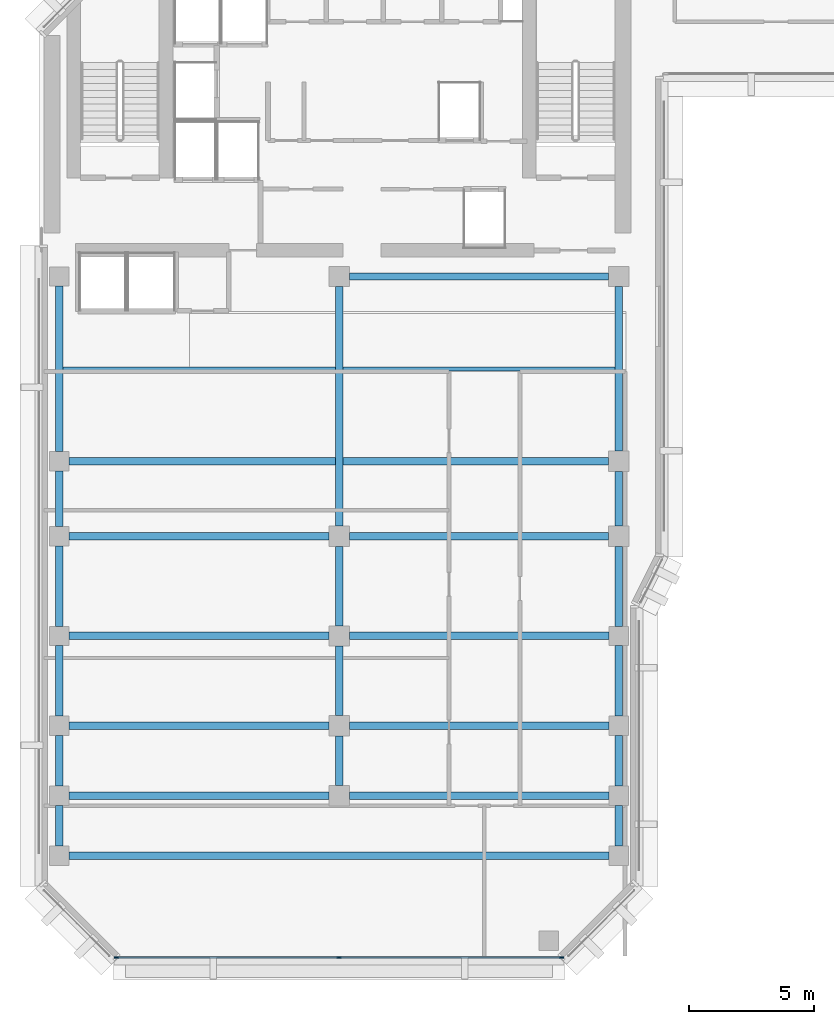
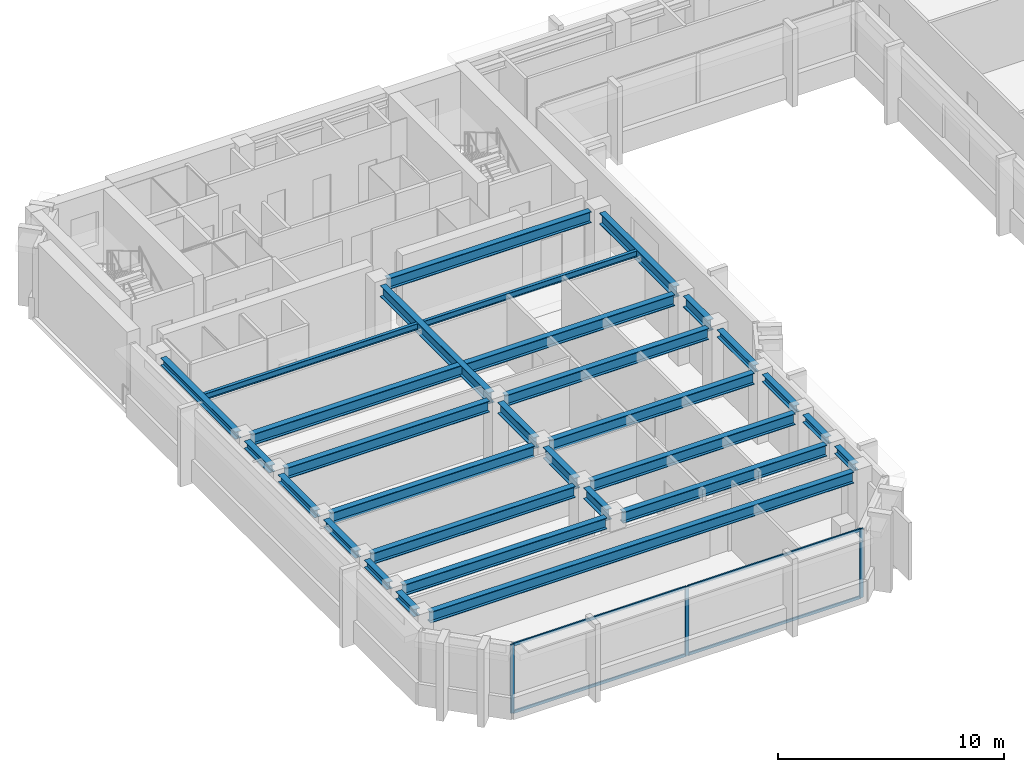
# One storey, part 2 of 11: 29 beams, 7 members, 1 element without a shape of its own.
"""IFC4 building model written with IfcOpenShell, lengths in metres."""

from ifc_helpers import new_model, si_unit, direction, frame, origin, origin_2d, place, context, subcontext, project, spatial, rectangle, i_section, extrude, material, layer, layer_set, material_profile, profile_set, type_object, element, aggregate, save


model = new_model("IFC4")

# Units and contexts
model_context = context("Model", 3, precision=1e-05, world=origin(), true_north=direction((0.0, 1.0)))
body_context = subcontext(model_context, "Body", "Model", "MODEL_VIEW")
ifc_project = project(units=[si_unit("LENGTHUNIT", "METRE"), si_unit("AREAUNIT", "SQUARE_METRE"), si_unit("VOLUMEUNIT", "CUBIC_METRE"), si_unit("PLANEANGLEUNIT", "RADIAN"), si_unit("MASSUNIT", "GRAM", prefix="KILO")], contexts=[model_context])

# Site, building, storey
site_placement = place(None, origin())
site = spatial("IfcSite", under=ifc_project, at=site_placement, CompositionType="ELEMENT")
building_placement = place(site_placement, origin())
building = spatial("IfcBuilding", under=site, at=building_placement, Name="Kefirva Bronze Tower", CompositionType="ELEMENT")
storey_placement = place(building_placement, frame((0.0, 0.0, 219.780029296875)))
storey = spatial("IfcBuildingStorey", under=building, at=storey_placement, Name="L53", CompositionType="ELEMENT", Elevation=219.780029296875)

# Curtain wall, members
ifc_material_1 = material(Name="Bronze anodised aluminium", Category="aluminium")
ifc_layer = layer(ifc_material_1, 0.179931640625, Name="Bronze anodised aluminium")
ifc_layer_set = layer_set([ifc_layer], Name="Bronze anodised aluminium")
curtain_wall_type = type_object("IfcCurtainWallType", Name="Unitised Bronze Ribbon Curtain Wall Zone 3", PredefinedType="USERDEFINED", material=ifc_layer_set)
curtain_wall_placement = place(storey_placement, origin())
curtain_wall = element("IfcCurtainWall", 1, at=curtain_wall_placement, inside=storey, type_object=curtain_wall_type, Name="L53 Curtain Wall 1", ObjectType="UNITISED CURTAIN WALL", PredefinedType="USERDEFINED")
ifc_material_profile_1 = material_profile(ifc_material_1, rectangle(XDim=0.074951171875, YDim=0.179931640625, at=origin_2d()), Name="ALU 75x180")
ifc_profile_set_1 = profile_set([ifc_material_profile_1], Name="Bronze anodised aluminium")
member_type_1 = type_object("IfcMemberType", Name="Bronze Mullion 75x180", PredefinedType="MULLION", material=ifc_profile_set_1)
member_1_placement = place(storey_placement, frame((3.092529296875, 5.919921875, 0.0), z_axis=(0.0, 0.0, 1.0), x_axis=(0.0, 1.0, 0.0)))
member_1 = element("IfcMember", 2, at=member_1_placement, type_object=member_type_1, Name="CW-03 mullion 1", PredefinedType="MULLION", context=body_context, shape_type="SweptSolid", body=[
    extrude(rectangle(XDim=0.074951171875, YDim=0.179931640625, at=origin_2d()), origin(), (0.0, 0.0, 1.0), 3.7099609375),
])
member_2_placement = place(storey_placement, frame((12.0, 5.919921875, 0.0), z_axis=(0.0, 0.0, 1.0), x_axis=(0.0, 1.0, 0.0)))
member_2 = element("IfcMember", 3, at=member_2_placement, type_object=member_type_1, Name="CW-03 mullion 2", PredefinedType="MULLION", context=body_context, shape_type="SweptSolid", body=[
    extrude(rectangle(XDim=0.074951171875, YDim=0.179931640625, at=origin_2d()), origin(), (0.0, 0.0, 1.0), 3.7099609375),
])
member_3_placement = place(storey_placement, frame((20.907470703125, 5.919921875, 0.0), z_axis=(0.0, 0.0, 1.0), x_axis=(0.0, 1.0, 0.0)))
member_3 = element("IfcMember", 4, at=member_3_placement, type_object=member_type_1, Name="CW-03 mullion 3", PredefinedType="MULLION", context=body_context, shape_type="SweptSolid", body=[
    extrude(rectangle(XDim=0.074951171875, YDim=0.179931640625, at=origin_2d()), origin(), (0.0, 0.0, 1.0), 3.7099609375),
])
ifc_material_profile_2 = material_profile(ifc_material_1, rectangle(XDim=0.074951171875, YDim=0.14990234375, at=origin_2d()), Name="ALU 75x150")
ifc_profile_set_2 = profile_set([ifc_material_profile_2], Name="Bronze anodised aluminium")
member_type_2 = type_object("IfcMemberType", Name="Bronze Transom 75x150", PredefinedType="USERDEFINED", material=ifc_profile_set_2)
member_4_placement = place(storey_placement, frame((3.1298828125, 5.919921875, 0.037353515625), z_axis=(1.0, 0.0, 0.0), x_axis=(0.0, 1.0, 0.0)))
member_4 = element("IfcMember", 5, at=member_4_placement, type_object=member_type_2, Name="CW-03 transom 1.1", ObjectType="TRANSOM", PredefinedType="USERDEFINED", context=body_context, shape_type="SweptSolid", body=[
    extrude(rectangle(XDim=0.074951171875, YDim=0.14990234375, at=origin_2d()), origin(), (0.0, 0.0, 1.0), 8.83251953125),
])
member_5_placement = place(storey_placement, frame((3.1298828125, 5.919921875, 3.67236328125), z_axis=(1.0, 0.0, 0.0), x_axis=(0.0, 1.0, 0.0)))
member_5 = element("IfcMember", 6, at=member_5_placement, type_object=member_type_2, Name="CW-03 transom 1.2", ObjectType="TRANSOM", PredefinedType="USERDEFINED", context=body_context, shape_type="SweptSolid", body=[
    extrude(rectangle(XDim=0.074951171875, YDim=0.14990234375, at=origin_2d()), origin(), (0.0, 0.0, 1.0), 8.83251953125),
])
member_6_placement = place(storey_placement, frame((12.03759765625, 5.919921875, 0.037353515625), z_axis=(1.0, 0.0, 0.0), x_axis=(0.0, 1.0, 0.0)))
member_6 = element("IfcMember", 7, at=member_6_placement, type_object=member_type_2, Name="CW-03 transom 2.1", ObjectType="TRANSOM", PredefinedType="USERDEFINED", context=body_context, shape_type="SweptSolid", body=[
    extrude(rectangle(XDim=0.074951171875, YDim=0.14990234375, at=origin_2d()), origin(), (0.0, 0.0, 1.0), 8.83251953125),
])
member_7_placement = place(storey_placement, frame((12.03759765625, 5.919921875, 3.67236328125), z_axis=(1.0, 0.0, 0.0), x_axis=(0.0, 1.0, 0.0)))
member_7 = element("IfcMember", 8, at=member_7_placement, type_object=member_type_2, Name="CW-03 transom 2.2", ObjectType="TRANSOM", PredefinedType="USERDEFINED", context=body_context, shape_type="SweptSolid", body=[
    extrude(rectangle(XDim=0.074951171875, YDim=0.14990234375, at=origin_2d()), origin(), (0.0, 0.0, 1.0), 8.83251953125),
])
aggregate(curtain_wall, [member_1, member_2, member_3, member_4, member_5, member_6, member_7])

# Beams
ifc_material_2 = material(Name="Steel S355", Category="steel")
ifc_material_profile_3 = material_profile(ifc_material_2, i_section(OverallWidth=0.159912109375, OverallDepth=0.330078125, WebThickness=0.007568359375, FlangeThickness=0.011474609375, at=origin_2d()), Name="IPE 330")
ifc_profile_set_3 = profile_set([ifc_material_profile_3], Name="Steel S355")
beam_type_1 = type_object("IfcBeamType", Name="Steel Floor Joist IPE 330", PredefinedType="JOIST", material=ifc_profile_set_3)
for number, where, z_axis, x_axis, name in (
    (9, (0.949951171875, 29.489990234375, 3.544921875), (1.0, 0.0, 0.0), (0.0, 1.0, 0.0), "L53 JST-L53-0-294"),
    (10, (12.14990234375, 29.5, 3.544921875), (1.0, 0.0, 0.0), (0.0, 1.0, 0.0), "L53 JST-L53-12-295"),
):
    element("IfcBeam", number, at=place(storey_placement, frame(where, z_axis=z_axis, x_axis=x_axis)), inside=storey, type_object=beam_type_1, Name=name, PredefinedType="JOIST", context=body_context, shape_type="SweptSolid", body=[
        extrude(i_section(OverallWidth=0.159912109375, OverallDepth=0.330078125, WebThickness=0.007568359375, FlangeThickness=0.011474609375, at=origin_2d()), origin(), (0.0, 0.0, 1.0), 10.900146484375),
    ])
ifc_material_profile_4 = material_profile(ifc_material_2, i_section(OverallWidth=0.300048828125, OverallDepth=0.60009765625, WebThickness=0.015380859375, FlangeThickness=0.030029296875, at=origin_2d()), Name="HEB 600")
ifc_profile_set_4 = profile_set([ifc_material_profile_4], Name="Steel S355")
beam_type_2 = type_object("IfcBeamType", Name="Steel Girder HEB 600", PredefinedType="USERDEFINED", material=ifc_profile_set_4)
beam_1_placement = place(storey_placement, frame((1.18994140625, 10.0, 3.409912109375), z_axis=(1.0, 0.0, 0.0), x_axis=(0.0, 1.0, 0.0)))
element("IfcBeam", 11, at=beam_1_placement, inside=storey, type_object=beam_type_2, Name="L53 BM-L53-EW-0-100", ObjectType="GIRDER", PredefinedType="USERDEFINED", context=body_context, shape_type="SweptSolid", body=[
    extrude(i_section(OverallWidth=0.300048828125, OverallDepth=0.60009765625, WebThickness=0.015380859375, FlangeThickness=0.030029296875, at=origin_2d()), origin(), (0.0, 0.0, 1.0), 21.6201171875),
])
for number, where, z_axis, x_axis, name in (
    (12, (1.18994140625, 12.39990234375, 3.409912109375), (1.0, 0.0, 0.0), (0.0, 1.0, 0.0), "L53 BM-L53-EW-0-124"),
    (13, (12.409912109375, 12.39990234375, 3.409912109375), (1.0, 0.0, 0.0), (0.0, 1.0, 0.0), "L53 BM-L53-EW-12-124"),
    (14, (1.18994140625, 15.199951171875, 3.409912109375), (1.0, 0.0, 0.0), (0.0, 1.0, 0.0), "L53 BM-L53-EW-0-152"),
    (15, (12.409912109375, 15.199951171875, 3.409912109375), (1.0, 0.0, 0.0), (0.0, 1.0, 0.0), "L53 BM-L53-EW-12-152"),
    (16, (1.18994140625, 18.800048828125, 3.409912109375), (1.0, 0.0, 0.0), (0.0, 1.0, 0.0), "L53 BM-L53-EW-0-188"),
    (17, (12.409912109375, 18.800048828125, 3.409912109375), (1.0, 0.0, 0.0), (0.0, 1.0, 0.0), "L53 BM-L53-EW-12-188"),
    (18, (1.18994140625, 22.800048828125, 3.409912109375), (1.0, 0.0, 0.0), (0.0, 1.0, 0.0), "L53 BM-L53-EW-0-228"),
):
    element("IfcBeam", number, at=place(storey_placement, frame(where, z_axis=z_axis, x_axis=x_axis)), inside=storey, type_object=beam_type_2, Name=name, ObjectType="GIRDER", PredefinedType="USERDEFINED", context=body_context, shape_type="SweptSolid", body=[
        extrude(i_section(OverallWidth=0.300048828125, OverallDepth=0.60009765625, WebThickness=0.015380859375, FlangeThickness=0.030029296875, at=origin_2d()), origin(), (0.0, 0.0, 1.0), 10.400146484375),
    ])
beam_2_placement = place(storey_placement, frame((12.409912109375, 22.800048828125, 3.409912109375), z_axis=(1.0, 0.0, 0.0), x_axis=(0.0, 1.0, 0.0)))
element("IfcBeam", 19, at=beam_2_placement, inside=storey, type_object=beam_type_2, Name="L53 BM-L53-EW-12-228", ObjectType="GIRDER", PredefinedType="USERDEFINED", context=body_context, shape_type="SweptSolid", body=[
    extrude(i_section(OverallWidth=0.300048828125, OverallDepth=0.60009765625, WebThickness=0.015380859375, FlangeThickness=0.030029296875, at=origin_2d()), origin(), (0.0, 0.0, 1.0), 10.380126953125),
])
beam_3_placement = place(storey_placement, frame((1.18994140625, 25.800048828125, 3.409912109375), z_axis=(1.0, 0.0, 0.0), x_axis=(0.0, 1.0, 0.0)))
element("IfcBeam", 20, at=beam_3_placement, inside=storey, type_object=beam_type_2, Name="L53 BM-L53-EW-0-258", ObjectType="GIRDER", PredefinedType="USERDEFINED", context=body_context, shape_type="SweptSolid", body=[
    extrude(i_section(OverallWidth=0.300048828125, OverallDepth=0.60009765625, WebThickness=0.015380859375, FlangeThickness=0.030029296875, at=origin_2d()), origin(), (0.0, 0.0, 1.0), 21.60009765625),
])
beam_4_placement = place(storey_placement, frame((12.409912109375, 33.199951171875, 3.409912109375), z_axis=(1.0, 0.0, 0.0), x_axis=(0.0, 1.0, 0.0)))
element("IfcBeam", 21, at=beam_4_placement, inside=storey, type_object=beam_type_2, Name="L53 BM-L53-EW-12-332", ObjectType="GIRDER", PredefinedType="USERDEFINED", context=body_context, shape_type="SweptSolid", body=[
    extrude(i_section(OverallWidth=0.300048828125, OverallDepth=0.60009765625, WebThickness=0.015380859375, FlangeThickness=0.030029296875, at=origin_2d()), origin(), (0.0, 0.0, 1.0), 10.380126953125),
])
beam_5_placement = place(storey_placement, frame((12.0, 12.81005859375, 3.409912109375), z_axis=(0.0, 1.0, 0.0), x_axis=(-1.0, 0.0, 0.0)))
element("IfcBeam", 22, at=beam_5_placement, inside=storey, type_object=beam_type_2, Name="L53 BM-L53-NS-120-12", ObjectType="GIRDER", PredefinedType="USERDEFINED", context=body_context, shape_type="SweptSolid", body=[
    extrude(i_section(OverallWidth=0.300048828125, OverallDepth=0.60009765625, WebThickness=0.015380859375, FlangeThickness=0.030029296875, at=origin_2d()), origin(), (0.0, 0.0, 1.0), 1.97998046875),
])
beam_6_placement = place(storey_placement, frame((12.0, 15.610107421875, 3.409912109375), z_axis=(0.0, 1.0, 0.0), x_axis=(-1.0, 0.0, 0.0)))
element("IfcBeam", 23, at=beam_6_placement, inside=storey, type_object=beam_type_2, Name="L53 BM-L53-NS-120-15", ObjectType="GIRDER", PredefinedType="USERDEFINED", context=body_context, shape_type="SweptSolid", body=[
    extrude(i_section(OverallWidth=0.300048828125, OverallDepth=0.60009765625, WebThickness=0.015380859375, FlangeThickness=0.030029296875, at=origin_2d()), origin(), (0.0, 0.0, 1.0), 2.77978515625),
])
beam_7_placement = place(storey_placement, frame((12.0, 19.2099609375, 3.409912109375), z_axis=(0.0, 1.0, 0.0), x_axis=(-1.0, 0.0, 0.0)))
element("IfcBeam", 24, at=beam_7_placement, inside=storey, type_object=beam_type_2, Name="L53 BM-L53-NS-120-18", ObjectType="GIRDER", PredefinedType="USERDEFINED", context=body_context, shape_type="SweptSolid", body=[
    extrude(i_section(OverallWidth=0.300048828125, OverallDepth=0.60009765625, WebThickness=0.015380859375, FlangeThickness=0.030029296875, at=origin_2d()), origin(), (0.0, 0.0, 1.0), 3.179931640625),
])
beam_8_placement = place(storey_placement, frame((12.0, 23.2099609375, 3.409912109375), z_axis=(0.0, 1.0, 0.0), x_axis=(-1.0, 0.0, 0.0)))
element("IfcBeam", 25, at=beam_8_placement, inside=storey, type_object=beam_type_2, Name="L53 BM-L53-NS-120-22", ObjectType="GIRDER", PredefinedType="USERDEFINED", context=body_context, shape_type="SweptSolid", body=[
    extrude(i_section(OverallWidth=0.300048828125, OverallDepth=0.60009765625, WebThickness=0.015380859375, FlangeThickness=0.030029296875, at=origin_2d()), origin(), (0.0, 0.0, 1.0), 9.580078125),
])
beam_9_placement = place(storey_placement, frame((23.199951171875, 23.2099609375, 3.409912109375), z_axis=(0.0, 1.0, 0.0), x_axis=(-1.0, 0.0, 0.0)))
element("IfcBeam", 26, at=beam_9_placement, inside=storey, type_object=beam_type_2, Name="L53 BM-L53-NS-232-22", ObjectType="GIRDER", PredefinedType="USERDEFINED", context=body_context, shape_type="SweptSolid", body=[
    extrude(i_section(OverallWidth=0.300048828125, OverallDepth=0.60009765625, WebThickness=0.015380859375, FlangeThickness=0.030029296875, at=origin_2d()), origin(), (0.0, 0.0, 1.0), 2.179931640625),
])
beam_10_placement = place(storey_placement, frame((23.199951171875, 26.2099609375, 3.409912109375), z_axis=(0.0, 1.0, 0.0), x_axis=(-1.0, 0.0, 0.0)))
element("IfcBeam", 27, at=beam_10_placement, inside=storey, type_object=beam_type_2, Name="L53 BM-L53-NS-232-25", ObjectType="GIRDER", PredefinedType="USERDEFINED", context=body_context, shape_type="SweptSolid", body=[
    extrude(i_section(OverallWidth=0.300048828125, OverallDepth=0.60009765625, WebThickness=0.015380859375, FlangeThickness=0.030029296875, at=origin_2d()), origin(), (0.0, 0.0, 1.0), 6.580078125),
])
ifc_material_profile_5 = material_profile(ifc_material_2, i_section(OverallWidth=0.300048828125, OverallDepth=0.39990234375, WebThickness=0.013427734375, FlangeThickness=0.02392578125, at=origin_2d()), Name="HEB 400")
ifc_profile_set_5 = profile_set([ifc_material_profile_5], Name="Steel S355")
beam_type_3 = type_object("IfcBeamType", Name="Steel Spandrel HEB 400 Ext", PredefinedType="SPANDREL", material=ifc_profile_set_5)
beam_11_placement = place(storey_placement, frame((0.800048828125, 10.389892578125, 3.510009765625), z_axis=(0.0, 1.0, 0.0), x_axis=(-1.0, 0.0, 0.0)))
element("IfcBeam", 28, at=beam_11_placement, inside=storey, type_object=beam_type_3, Name="L53 BM-L53-NS-8-10", PredefinedType="SPANDREL", context=body_context, shape_type="SweptSolid", body=[
    extrude(i_section(OverallWidth=0.300048828125, OverallDepth=0.39990234375, WebThickness=0.013427734375, FlangeThickness=0.02392578125, at=origin_2d()), origin(), (0.0, 0.0, 1.0), 1.6201171875),
])
beam_12_placement = place(storey_placement, frame((0.800048828125, 12.7900390625, 3.510009765625), z_axis=(0.0, 1.0, 0.0), x_axis=(-1.0, 0.0, 0.0)))
element("IfcBeam", 29, at=beam_12_placement, inside=storey, type_object=beam_type_3, Name="L53 BM-L53-NS-8-12", PredefinedType="SPANDREL", context=body_context, shape_type="SweptSolid", body=[
    extrude(i_section(OverallWidth=0.300048828125, OverallDepth=0.39990234375, WebThickness=0.013427734375, FlangeThickness=0.02392578125, at=origin_2d()), origin(), (0.0, 0.0, 1.0), 2.02001953125),
])
beam_13_placement = place(storey_placement, frame((0.800048828125, 15.590087890625, 3.510009765625), z_axis=(0.0, 1.0, 0.0), x_axis=(-1.0, 0.0, 0.0)))
element("IfcBeam", 30, at=beam_13_placement, inside=storey, type_object=beam_type_3, Name="L53 BM-L53-NS-8-15", PredefinedType="SPANDREL", context=body_context, shape_type="SweptSolid", body=[
    extrude(i_section(OverallWidth=0.300048828125, OverallDepth=0.39990234375, WebThickness=0.013427734375, FlangeThickness=0.02392578125, at=origin_2d()), origin(), (0.0, 0.0, 1.0), 2.81982421875),
])
beam_14_placement = place(storey_placement, frame((0.800048828125, 19.18994140625, 3.510009765625), z_axis=(0.0, 1.0, 0.0), x_axis=(-1.0, 0.0, 0.0)))
element("IfcBeam", 31, at=beam_14_placement, inside=storey, type_object=beam_type_3, Name="L53 BM-L53-NS-8-18", PredefinedType="SPANDREL", context=body_context, shape_type="SweptSolid", body=[
    extrude(i_section(OverallWidth=0.300048828125, OverallDepth=0.39990234375, WebThickness=0.013427734375, FlangeThickness=0.02392578125, at=origin_2d()), origin(), (0.0, 0.0, 1.0), 3.219970703125),
])
beam_15_placement = place(storey_placement, frame((0.800048828125, 23.18994140625, 3.510009765625), z_axis=(0.0, 1.0, 0.0), x_axis=(-1.0, 0.0, 0.0)))
element("IfcBeam", 32, at=beam_15_placement, inside=storey, type_object=beam_type_3, Name="L53 BM-L53-NS-8-22", PredefinedType="SPANDREL", context=body_context, shape_type="SweptSolid", body=[
    extrude(i_section(OverallWidth=0.300048828125, OverallDepth=0.39990234375, WebThickness=0.013427734375, FlangeThickness=0.02392578125, at=origin_2d()), origin(), (0.0, 0.0, 1.0), 2.219970703125),
])
beam_16_placement = place(storey_placement, frame((0.800048828125, 26.18994140625, 3.510009765625), z_axis=(0.0, 1.0, 0.0), x_axis=(-1.0, 0.0, 0.0)))
element("IfcBeam", 33, at=beam_16_placement, inside=storey, type_object=beam_type_3, Name="L53 BM-L53-NS-8-25", PredefinedType="SPANDREL", context=body_context, shape_type="SweptSolid", body=[
    extrude(i_section(OverallWidth=0.300048828125, OverallDepth=0.39990234375, WebThickness=0.013427734375, FlangeThickness=0.02392578125, at=origin_2d()), origin(), (0.0, 0.0, 1.0), 6.6201171875),
])
beam_17_placement = place(storey_placement, frame((23.199951171875, 10.389892578125, 3.510009765625), z_axis=(0.0, 1.0, 0.0), x_axis=(-1.0, 0.0, 0.0)))
element("IfcBeam", 34, at=beam_17_placement, inside=storey, type_object=beam_type_3, Name="L53 BM-L53-NS-232-10", PredefinedType="SPANDREL", context=body_context, shape_type="SweptSolid", body=[
    extrude(i_section(OverallWidth=0.300048828125, OverallDepth=0.39990234375, WebThickness=0.013427734375, FlangeThickness=0.02392578125, at=origin_2d()), origin(), (0.0, 0.0, 1.0), 1.6201171875),
])
beam_18_placement = place(storey_placement, frame((23.199951171875, 12.7900390625, 3.510009765625), z_axis=(0.0, 1.0, 0.0), x_axis=(-1.0, 0.0, 0.0)))
element("IfcBeam", 35, at=beam_18_placement, inside=storey, type_object=beam_type_3, Name="L53 BM-L53-NS-232-12", PredefinedType="SPANDREL", context=body_context, shape_type="SweptSolid", body=[
    extrude(i_section(OverallWidth=0.300048828125, OverallDepth=0.39990234375, WebThickness=0.013427734375, FlangeThickness=0.02392578125, at=origin_2d()), origin(), (0.0, 0.0, 1.0), 2.02001953125),
])
beam_19_placement = place(storey_placement, frame((23.199951171875, 15.590087890625, 3.510009765625), z_axis=(0.0, 1.0, 0.0), x_axis=(-1.0, 0.0, 0.0)))
element("IfcBeam", 36, at=beam_19_placement, inside=storey, type_object=beam_type_3, Name="L53 BM-L53-NS-232-15", PredefinedType="SPANDREL", context=body_context, shape_type="SweptSolid", body=[
    extrude(i_section(OverallWidth=0.300048828125, OverallDepth=0.39990234375, WebThickness=0.013427734375, FlangeThickness=0.02392578125, at=origin_2d()), origin(), (0.0, 0.0, 1.0), 2.81982421875),
])
beam_20_placement = place(storey_placement, frame((23.199951171875, 19.18994140625, 3.510009765625), z_axis=(0.0, 1.0, 0.0), x_axis=(-1.0, 0.0, 0.0)))
element("IfcBeam", 37, at=beam_20_placement, inside=storey, type_object=beam_type_3, Name="L53 BM-L53-NS-232-18", PredefinedType="SPANDREL", context=body_context, shape_type="SweptSolid", body=[
    extrude(i_section(OverallWidth=0.300048828125, OverallDepth=0.39990234375, WebThickness=0.013427734375, FlangeThickness=0.02392578125, at=origin_2d()), origin(), (0.0, 0.0, 1.0), 3.199951171875),
])

save(model, "model.ifc")
